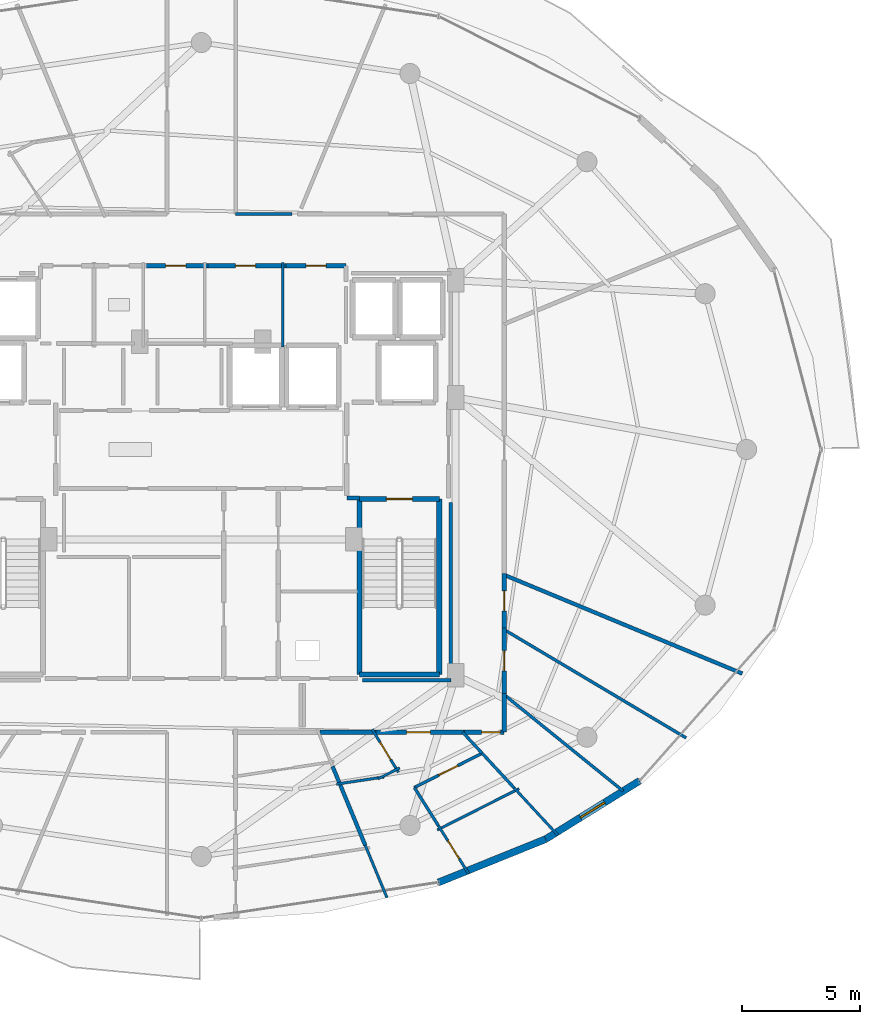
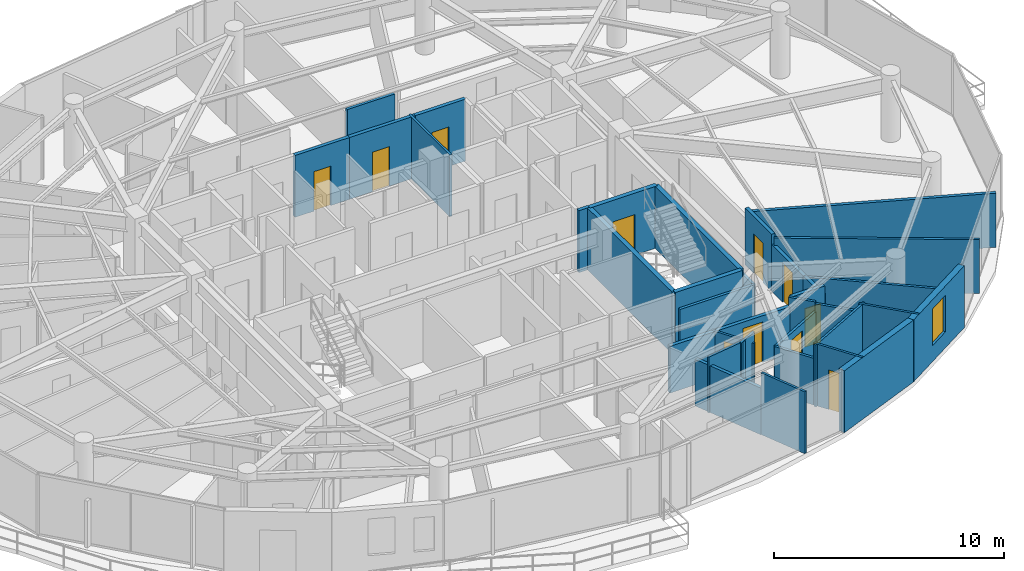
# One storey, part 26 of 31: 35 walls, 11 doors, 1 window, 12 openings.
"""IFC4 building model written with IfcOpenShell, lengths in metres."""

from ifc_helpers import new_model, si_unit, direction, frame, frame_2d, origin, place, context, subcontext, project, spatial, rectangle, extrude, material, layer, layer_set, type_object, element, fill, save


model = new_model("IFC4")

# Units and contexts
model_context = context("Model", 3, precision=1e-05, world=origin(), true_north=direction((0.0, 1.0)))
body_context = subcontext(model_context, "Body", "Model", "MODEL_VIEW")
ifc_project = project(units=[si_unit("LENGTHUNIT", "METRE"), si_unit("AREAUNIT", "SQUARE_METRE"), si_unit("VOLUMEUNIT", "CUBIC_METRE"), si_unit("PLANEANGLEUNIT", "RADIAN"), si_unit("MASSUNIT", "GRAM", prefix="KILO")], contexts=[model_context])

# Site, building, storey
site_placement = place(None, origin())
site = spatial("IfcSite", under=ifc_project, at=site_placement, CompositionType="ELEMENT")
building_placement = place(site_placement, origin())
building = spatial("IfcBuilding", under=site, at=building_placement, Name="Vorneva Point Tower", CompositionType="ELEMENT")
storey_placement = place(building_placement, frame((0.0, 0.0, 248.449951171875)))
storey = spatial("IfcBuildingStorey", under=building, at=storey_placement, Name="L67", CompositionType="ELEMENT", Elevation=248.449951171875)

# Wall
ifc_material_1 = material(Name="Precast concrete B50 (C40/50)", Category="concrete")
ifc_layer_1 = layer(ifc_material_1, 0.300048828125)
ifc_layer_set_1 = layer_set([ifc_layer_1], Name="Precast concrete B50 (C40/50)")
wall_type_1 = type_object("IfcWallType", Name="WL-EXT-300", PredefinedType="STANDARD", material=ifc_layer_set_1)
wall_1_placement = place(storey_placement, frame((48.0263671875, 7.697998046875, 0.0), z_axis=(0.0, 0.0, 1.0), x_axis=(0.927147375511, 0.374696869594, 0.0)))
element("IfcWall", 1, at=wall_1_placement, inside=storey, type_object=wall_type_1, Name="L67 Pale-Metal Facade Spandrel Wall 14.1", PredefinedType="STANDARD", context=body_context, shape_type="SweptSolid", body=[
    extrude(rectangle(XDim=4.885498046875, YDim=0.300048828125, at=frame_2d((2.44287109375, 0.0))), origin(), (0.0, 0.0, 1.0), 3.2900390625),
])

# Wall, opening, window
wall_2_placement = place(storey_placement, frame((52.555908203125, 9.528564453125, 0.0), z_axis=(0.0, 0.0, 1.0), x_axis=(0.849702323036, 0.527262707032, 0.0)))
wall_2 = element("IfcWall", 2, at=wall_2_placement, inside=storey, type_object=wall_type_1, Name="L67 Pale-Metal Facade Spandrel Wall 14.2", PredefinedType="STANDARD", context=body_context, shape_type="SweptSolid", body=[
    extrude(rectangle(XDim=4.67236328125, YDim=0.300048828125, at=frame_2d((2.336181640625, 0.0))), origin(), (0.0, 0.0, 1.0), 3.2900390625),
])
opening_1_placement = place(wall_2_placement, frame((1.736328125, 0.0, 0.85009765625)))
opening_1 = element("IfcOpeningElement", 3, at=opening_1_placement, cuts=wall_2, Name="Opening W-04", PredefinedType="OPENING", context=body_context, shape_type="SweptSolid", body=[
    extrude(rectangle(XDim=1.199951171875, YDim=1.949951171875, at=frame_2d((0.60009765625, 0.97509765625))), frame((0.0, 0.1650390625, 0.0), z_axis=(0.0, -1.0, 0.0), x_axis=(1.0, 0.0, 0.0)), (0.0, 0.0, 1.0), 0.329833984375),
])
ifc_material_2 = material(Name="Double low-e laminated glass IGU", Category="glass")
window_type = type_object("IfcWindowType", Name="WN-RES-1200", PartitioningType="SINGLE_PANEL", PredefinedType="WINDOW", material=ifc_material_2)
window_placement = place(opening_1_placement, origin())
window = element("IfcWindow", 4, at=window_placement, inside=storey, type_object=window_type, Name="L67 Dwelling Vision Window 04", OverallHeight=1.949951171875, OverallWidth=1.199951171875, PartitioningType="SINGLE_PANEL", PredefinedType="WINDOW", context=body_context, shape_type="SweptSolid", body=[
    extrude(rectangle(XDim=1.199951171875, YDim=1.949951171875, at=frame_2d((0.60009765625, 0.97509765625))), frame((0.0, 0.030029296875, 0.0), z_axis=(0.0, -1.0, 0.0), x_axis=(1.0, 0.0, 0.0)), (0.0, 0.0, 1.0), 0.06005859375),
])
fill(opening_1, window)

# Walls
ifc_material_3 = material(Name="Fire-rated acoustic gypsum stud partition", Category="gypsum")
ifc_layer_2 = layer(ifc_material_3, 0.110107421875)
ifc_layer_set_2 = layer_set([ifc_layer_2], Name="Fire-rated acoustic gypsum stud partition")
wall_type_2 = type_object("IfcWallType", Name="WL-PART-110", PredefinedType="PARTITIONING", material=ifc_layer_set_2)
wall_3_placement = place(storey_placement, frame((41.449951171875, 30.340087890625, 0.0), z_axis=(0.0, 0.0, 1.0), x_axis=(0.0, 1.0, 0.0)))
element("IfcWall", 5, at=wall_3_placement, inside=storey, type_object=wall_type_2, Name="L67 Interior Partition 028", PredefinedType="PARTITIONING", context=body_context, shape_type="SweptSolid", body=[
    extrude(rectangle(XDim=3.559814453125, YDim=0.110107421875, at=frame_2d((1.77978515625, 0.0))), origin(), (0.0, 0.0, 1.0), 3.2900390625),
])
wall_4_placement = place(storey_placement, frame((44.929443359375, 9.271240234375, 0.0), z_axis=(0.0, 0.0, 1.0), x_axis=(0.382798716902, -0.923831771665, 0.0)))
element("IfcWall", 6, at=wall_4_placement, inside=storey, type_object=wall_type_2, Name="L67 Interior Partition 111", PredefinedType="PARTITIONING", context=body_context, shape_type="SweptSolid", body=[
    extrude(rectangle(XDim=2.396240234375, YDim=0.110107421875, at=frame_2d((1.1982421875, 0.0))), origin(), (0.0, 0.0, 1.0), 3.2900390625),
])

# Wall, opening, door
wall_5_placement = place(storey_placement, frame((45.22412109375, 14.16943359375, 0.0), z_axis=(0.0, 0.0, 1.0), x_axis=(0.52123627541, -0.853412412141, 0.0)))
wall_5 = element("IfcWall", 7, at=wall_5_placement, inside=storey, type_object=wall_type_2, Name="L67 Interior Partition 114", PredefinedType="PARTITIONING", context=body_context, shape_type="SweptSolid", body=[
    extrude(rectangle(XDim=2.12548828125, YDim=0.110107421875, at=frame_2d((1.062744140625, 0.0))), origin(), (0.0, 0.0, 1.0), 2.48193359375),
])
opening_2_placement = place(wall_5_placement, frame((0.6376953125, 0.0, 0.0)))
opening_2 = element("IfcOpeningElement", 8, at=opening_2_placement, cuts=wall_5, Name="Opening ID-02", PredefinedType="OPENING", context=body_context, shape_type="SweptSolid", body=[
    extrude(rectangle(XDim=0.85009765625, YDim=2.10009765625, at=frame_2d((0.425048828125, 1.050048828125))), frame((0.0, 0.06982421875, 0.0), z_axis=(0.0, -1.0, 0.0), x_axis=(1.0, 0.0, 0.0)), (0.0, 0.0, 1.0), 0.139892578125),
])
ifc_material_4 = material(Name="Engineered oak fire-rated door leaf", Category="wood")
door_type_1 = type_object("IfcDoorType", Name="DR-BATH-850", OperationType="NOTDEFINED", PredefinedType="DOOR", material=ifc_material_4)
door_1_placement = place(opening_2_placement, origin())
door_1 = element("IfcDoor", 9, at=door_1_placement, inside=storey, type_object=door_type_1, Name="L67 Door Living and Dining Room L67-05 / Bathroom L67-05", OperationType="SINGLE_SWING_LEFT", OverallHeight=2.10009765625, OverallWidth=0.85009765625, PredefinedType="DOOR", context=body_context, shape_type="SweptSolid", body=[
    extrude(rectangle(XDim=0.85009765625, YDim=2.10009765625, at=frame_2d((0.425048828125, 1.050048828125))), frame((0.0, 0.02490234375, 0.0), z_axis=(0.0, -1.0, 0.0), x_axis=(1.0, 0.0, 0.0)), (0.0, 0.0, 1.0), 0.050048828125),
])
fill(opening_2, door_1)

# Walls
wall_6_placement = place(storey_placement, frame((46.384033203125, 12.5380859375, 0.0), z_axis=(0.0, 0.0, 1.0), x_axis=(-0.892613755874, -0.450822229737, 0.0)))
element("IfcWall", 10, at=wall_6_placement, inside=storey, type_object=wall_type_2, Name="L67 Interior Partition 115", PredefinedType="PARTITIONING", context=body_context, shape_type="SweptSolid", body=[
    extrude(rectangle(XDim=1.02734375, YDim=0.110107421875, at=frame_2d((0.513671875, 0.0))), origin(), (0.0, 0.0, 1.0), 2.97216796875),
])
wall_7_placement = place(storey_placement, frame((45.73046875, 12.15869140625, 0.0), z_axis=(0.0, 0.0, 1.0), x_axis=(-0.98887923552, -0.148720736812, 0.0)))
element("IfcWall", 11, at=wall_7_placement, inside=storey, type_object=wall_type_2, Name="L67 Interior Partition 116", PredefinedType="PARTITIONING", context=body_context, shape_type="SweptSolid", body=[
    extrude(rectangle(XDim=2.04052734375, YDim=0.110107421875, at=frame_2d((1.020263671875, 0.0))), origin(), (0.0, 0.0, 1.0), 2.97216796875),
])

# Wall, opening, door
wall_8_placement = place(storey_placement, frame((49.302734375, 8.066650390625, 0.0), z_axis=(0.0, 0.0, 1.0), x_axis=(-0.53356042882, 0.845761945702, 0.0)))
wall_8 = element("IfcWall", 12, at=wall_8_placement, inside=storey, type_object=wall_type_2, Name="L67 Interior Partition 117", PredefinedType="PARTITIONING", context=body_context, shape_type="SweptSolid", body=[
    extrude(rectangle(XDim=2.39990234375, YDim=0.110107421875, at=frame_2d((1.199951171875, 0.0))), origin(), (0.0, 0.0, 1.0), 3.2900390625),
])
opening_3_placement = place(wall_8_placement, frame((0.75, 0.0, 0.0)))
opening_3 = element("IfcOpeningElement", 13, at=opening_3_placement, cuts=wall_8, Name="Opening ID-01", PredefinedType="OPENING", context=body_context, shape_type="SweptSolid", body=[
    extrude(rectangle(XDim=0.89990234375, YDim=2.10009765625, at=frame_2d((0.449951171875, 1.050048828125))), frame((0.0, 0.06982421875, 0.0), z_axis=(0.0, -1.0, 0.0), x_axis=(1.0, 0.0, 0.0)), (0.0, 0.0, 1.0), 0.139892578125),
])
door_type_2 = type_object("IfcDoorType", Name="DR-ROOM-900", OperationType="NOTDEFINED", PredefinedType="DOOR", material=ifc_material_4)
door_2_placement = place(opening_3_placement, origin())
door_2 = element("IfcDoor", 14, at=door_2_placement, inside=storey, type_object=door_type_2, Name="L67 Door Living and Dining Room L67-05 / Kitchen L67-05", OperationType="SINGLE_SWING_RIGHT", OverallHeight=2.10009765625, OverallWidth=0.89990234375, PredefinedType="DOOR", context=body_context, shape_type="SweptSolid", body=[
    extrude(rectangle(XDim=0.89990234375, YDim=2.10009765625, at=frame_2d((0.449951171875, 1.050048828125))), frame((0.0, 0.02490234375, 0.0), z_axis=(0.0, -1.0, 0.0), x_axis=(1.0, 0.0, 0.0)), (0.0, 0.0, 1.0), 0.050048828125),
])
fill(opening_3, door_2)

# Walls
wall_9_placement = place(storey_placement, frame((51.43408203125, 11.6640625, 0.0), z_axis=(0.0, 0.0, 1.0), x_axis=(-0.892543730476, -0.450960851059, 0.0)))
element("IfcWall", 15, at=wall_9_placement, inside=storey, type_object=wall_type_2, Name="L67 Interior Partition 121", PredefinedType="PARTITIONING", context=body_context, shape_type="SweptSolid", body=[
    extrude(rectangle(XDim=3.87890625, YDim=0.110107421875, at=frame_2d((1.939453125, 0.0))), origin(), (0.0, 0.0, 1.0), 3.2900390625),
])
wall_10_placement = place(storey_placement, frame((53.076171875, 9.690185546875, 0.0), z_axis=(0.0, 0.0, 1.0), x_axis=(-0.678974823397, 0.734161555241, 0.0)))
element("IfcWall", 16, at=wall_10_placement, inside=storey, type_object=wall_type_2, Name="L67 Interior Partition 122", PredefinedType="PARTITIONING", context=body_context, shape_type="SweptSolid", body=[
    extrude(rectangle(XDim=2.742919921875, YDim=0.110107421875, at=frame_2d((1.37158203125, 0.0))), origin(), (0.0, 0.0, 1.0), 3.2900390625),
])

# Wall, opening, door
ifc_layer_3 = layer(ifc_material_3, 0.125)
ifc_layer_set_3 = layer_set([ifc_layer_3], Name="Fire-rated acoustic gypsum stud partition")
wall_type_3 = type_object("IfcWallType", Name="WL-PART-125", PredefinedType="PARTITIONING", material=ifc_layer_set_3)
wall_11_placement = place(storey_placement, frame((47.006103515625, 11.7099609375, 0.0), z_axis=(0.0, 0.0, 1.0), x_axis=(0.892487089344, 0.451072937955, 0.0)))
wall_11 = element("IfcWall", 17, at=wall_11_placement, inside=storey, type_object=wall_type_3, Name="L67 Interior Partition 118", PredefinedType="PARTITIONING", context=body_context, shape_type="SweptSolid", body=[
    extrude(rectangle(XDim=3.210205078125, YDim=0.125, at=frame_2d((1.60498046875, 0.0))), origin(), (0.0, 0.0, 1.0), 2.48193359375),
])
opening_4_placement = place(wall_11_placement, frame((1.155029296875, 0.0, 0.0)))
opening_4 = element("IfcOpeningElement", 18, at=opening_4_placement, cuts=wall_11, Name="Opening ID-01", PredefinedType="OPENING", context=body_context, shape_type="SweptSolid", body=[
    extrude(rectangle(XDim=0.89990234375, YDim=2.10009765625, at=frame_2d((0.449951171875, 1.050048828125))), frame((0.0, 0.077392578125, 0.0), z_axis=(0.0, -1.0, 0.0), x_axis=(1.0, 0.0, 0.0)), (0.0, 0.0, 1.0), 0.15478515625),
])
door_3_placement = place(opening_4_placement, origin())
door_3 = element("IfcDoor", 19, at=door_3_placement, inside=storey, type_object=door_type_2, Name="L67 Door Living and Dining Room L67-05 / Study Room L67-05", OperationType="SINGLE_SWING_LEFT", OverallHeight=2.10009765625, OverallWidth=0.89990234375, PredefinedType="DOOR", context=body_context, shape_type="SweptSolid", body=[
    extrude(rectangle(XDim=0.89990234375, YDim=2.10009765625, at=frame_2d((0.449951171875, 1.050048828125))), frame((0.0, 0.02490234375, 0.0), z_axis=(0.0, -1.0, 0.0), x_axis=(1.0, 0.0, 0.0)), (0.0, 0.0, 1.0), 0.050048828125),
])
fill(opening_4, door_3)

# Walls
wall_12_placement = place(storey_placement, frame((48.0224609375, 10.096435546875, 0.0), z_axis=(0.0, 0.0, 1.0), x_axis=(-0.532976248943, 0.846130201602, 0.0)))
element("IfcWall", 20, at=wall_12_placement, inside=storey, type_object=wall_type_3, Name="L67 Interior Partition 119", PredefinedType="PARTITIONING", context=body_context, shape_type="SweptSolid", body=[
    extrude(rectangle(XDim=1.906982421875, YDim=0.125, at=frame_2d((0.95361328125, 0.0))), origin(), (0.0, 0.0, 1.0), 2.48193359375),
])
wall_13_placement = place(storey_placement, frame((49.87109375, 13.157958984375, 0.0), z_axis=(0.0, 0.0, 1.0), x_axis=(-0.679047394912, 0.734094432251, 0.0)))
element("IfcWall", 21, at=wall_13_placement, inside=storey, type_object=wall_type_3, Name="L67 Interior Partition 120", PredefinedType="PARTITIONING", context=body_context, shape_type="SweptSolid", body=[
    extrude(rectangle(XDim=1.21533203125, YDim=0.125, at=frame_2d((0.607666015625, 0.0))), origin(), (0.0, 0.0, 1.0), 2.97216796875),
])
wall_14_placement = place(storey_placement, frame((51.214599609375, 11.704345703125, 0.0), z_axis=(0.0, 0.0, 1.0), x_axis=(-0.678746140468, 0.734372982073, 0.0)))
element("IfcWall", 22, at=wall_14_placement, inside=storey, type_object=wall_type_3, Name="L67 Interior Partition 123", PredefinedType="PARTITIONING", context=body_context, shape_type="SweptSolid", body=[
    extrude(rectangle(XDim=1.9794921875, YDim=0.125, at=frame_2d((0.98974609375, 0.0))), origin(), (0.0, 0.0, 1.0), 2.8740234375),
])
wall_15_placement = place(storey_placement, frame((55.827880859375, 11.56298828125, 0.0), z_axis=(0.0, 0.0, 1.0), x_axis=(-0.777103372697, 0.62937298015, 0.0)))
element("IfcWall", 23, at=wall_15_placement, inside=storey, type_object=wall_type_3, Name="L67 Interior Partition 124", PredefinedType="PARTITIONING", context=body_context, shape_type="SweptSolid", body=[
    extrude(rectangle(XDim=6.469970703125, YDim=0.125, at=frame_2d((3.23486328125, 0.0))), origin(), (0.0, 0.0, 1.0), 2.48193359375),
])
wall_16_placement = place(storey_placement, frame((58.492919921875, 13.80810546875, 0.0), z_axis=(0.0, 0.0, 1.0), x_axis=(-0.859400180079, 0.511303560011, 0.0)))
element("IfcWall", 24, at=wall_16_placement, inside=storey, type_object=wall_type_3, Name="L67 Interior Partition 125", PredefinedType="PARTITIONING", context=body_context, shape_type="SweptSolid", body=[
    extrude(rectangle(XDim=8.951416015625, YDim=0.125, at=frame_2d((4.4755859375, 0.0))), origin(), (0.0, 0.0, 1.0), 2.8740234375),
])
ifc_layer_4 = layer(ifc_material_3, 0.139892578125)
ifc_layer_set_4 = layer_set([ifc_layer_4], Name="Fire-rated acoustic gypsum stud partition")
wall_type_4 = type_object("IfcWallType", Name="WL-PART-140", PredefinedType="PARTITIONING", material=ifc_layer_set_4)
wall_17_placement = place(storey_placement, frame((41.841064453125, 35.949951171875, 0.0), z_axis=(0.0, 0.0, 1.0), x_axis=(-1.0, 0.0, 0.0)))
element("IfcWall", 25, at=wall_17_placement, inside=storey, type_object=wall_type_4, Name="L67 Interior Closure Partition 139", PredefinedType="PARTITIONING", context=body_context, shape_type="SweptSolid", body=[
    extrude(rectangle(XDim=2.39111328125, YDim=0.139892578125, at=frame_2d((1.195556640625, 0.0))), origin(), (0.0, 0.0, 1.0), 3.02197265625),
])
wall_18_placement = place(storey_placement, frame((44.804931640625, 16.239990234375, 0.0), z_axis=(0.0, 0.0, 1.0), x_axis=(1.0, 0.0, 0.0)))
element("IfcWall", 26, at=wall_18_placement, inside=storey, type_object=wall_type_4, Name="L67 Interior Closure Partition 141", PredefinedType="PARTITIONING", context=body_context, shape_type="SweptSolid", body=[
    extrude(rectangle(XDim=3.7451171875, YDim=0.139892578125, at=frame_2d((1.87255859375, 0.0))), origin(), (0.0, 0.0, 1.0), 2.48193359375),
])
wall_19_placement = place(storey_placement, frame((48.550048828125, 16.239990234375, 0.0), z_axis=(0.0, 0.0, 1.0), x_axis=(0.0, 1.0, 0.0)))
element("IfcWall", 27, at=wall_19_placement, inside=storey, type_object=wall_type_4, Name="L67 Interior Closure Partition 142", PredefinedType="PARTITIONING", context=body_context, shape_type="SweptSolid", body=[
    extrude(rectangle(XDim=7.513916015625, YDim=0.139892578125, at=frame_2d((3.7568359375, 0.0))), origin(), (0.0, 0.0, 1.0), 2.48193359375),
])
ifc_layer_5 = layer(ifc_material_3, 0.159912109375)
ifc_layer_set_5 = layer_set([ifc_layer_5], Name="Fire-rated acoustic gypsum stud partition")
wall_type_5 = type_object("IfcWallType", Name="WL-PART-160", PredefinedType="PARTITIONING", material=ifc_layer_set_5)
wall_20_placement = place(storey_placement, frame((44.9296875, 9.271484375, 0.0), z_axis=(0.0, 0.0, 1.0), x_axis=(-0.382744455498, 0.923854253541, 0.0)))
element("IfcWall", 28, at=wall_20_placement, inside=storey, type_object=wall_type_5, Name="L67 Interior Partition 113", PredefinedType="PARTITIONING", context=body_context, shape_type="SweptSolid", body=[
    extrude(rectangle(XDim=3.60595703125, YDim=0.159912109375, at=frame_2d((1.802978515625, 0.0))), origin(), (0.0, 0.0, 1.0), 2.48193359375),
])
wall_21_placement = place(storey_placement, frame((60.866943359375, 16.528076171875, 0.0), z_axis=(0.0, 0.0, 1.0), x_axis=(-0.923877013663, 0.382689513347, 0.0)))
element("IfcWall", 29, at=wall_21_placement, inside=storey, type_object=wall_type_5, Name="L67 Interior Partition 126", PredefinedType="PARTITIONING", context=body_context, shape_type="SweptSolid", body=[
    extrude(rectangle(XDim=10.896240234375, YDim=0.159912109375, at=frame_2d((5.4482421875, 0.0))), origin(), (0.0, 0.0, 1.0), 2.8740234375),
])
ifc_material_5 = material(Name="Autoclaved aerated concrete blockwork", Category="masonry")
ifc_layer_6 = layer(ifc_material_5, 0.179931640625)
ifc_layer_set_6 = layer_set([ifc_layer_6], Name="Autoclaved aerated concrete blockwork")
wall_type_6 = type_object("IfcWallType", Name="WL-PART-180", PredefinedType="PARTITIONING", material=ifc_layer_set_6)
wall_22_placement = place(storey_placement, frame((44.14990234375, 23.949951171875, 0.0), z_axis=(0.0, 0.0, 1.0), x_axis=(1.0, 0.0, 0.0)))
element("IfcWall", 30, at=wall_22_placement, inside=storey, type_object=wall_type_6, Name="L67 Interior Partition 004", PredefinedType="PARTITIONING", context=body_context, shape_type="SweptSolid", body=[
    extrude(rectangle(XDim=0.5400390625, YDim=0.179931640625, at=frame_2d((0.27001953125, 0.0))), origin(), (0.0, 0.0, 1.0), 3.2900390625),
])

# Wall, opening, door
wall_23_placement = place(storey_placement, frame((38.2900390625, 33.760009765625, 0.0), z_axis=(0.0, 0.0, 1.0), x_axis=(-1.0, 0.0, 0.0)))
wall_23 = element("IfcWall", 31, at=wall_23_placement, inside=storey, type_object=wall_type_6, Name="L67 Interior Partition 027", PredefinedType="PARTITIONING", context=body_context, shape_type="SweptSolid", body=[
    extrude(rectangle(XDim=2.739990234375, YDim=0.179931640625, at=frame_2d((1.3701171875, 0.0))), origin(), (0.0, 0.0, 1.0), 3.2900390625),
])
opening_5_placement = place(wall_23_placement, frame((0.945068359375, 0.0, 0.0)))
opening_5 = element("IfcOpeningElement", 32, at=opening_5_placement, cuts=wall_23, Name="Opening ID-02", PredefinedType="OPENING", context=body_context, shape_type="SweptSolid", body=[
    extrude(rectangle(XDim=0.85009765625, YDim=2.10009765625, at=frame_2d((0.425048828125, 1.050048828125))), frame((0.0, 0.10498046875, 0.0), z_axis=(0.0, -1.0, 0.0), x_axis=(1.0, 0.0, 0.0)), (0.0, 0.0, 1.0), 0.209716796875),
])
door_4_placement = place(opening_5_placement, origin())
door_4 = element("IfcDoor", 33, at=door_4_placement, inside=storey, type_object=door_type_1, Name="L67 Door Public Male WC / L67 Circulation Corridor", OperationType="SINGLE_SWING_RIGHT", OverallHeight=2.10009765625, OverallWidth=0.85009765625, PredefinedType="DOOR", context=body_context, shape_type="SweptSolid", body=[
    extrude(rectangle(XDim=0.85009765625, YDim=2.10009765625, at=frame_2d((0.425048828125, 1.050048828125))), frame((0.0, 0.02490234375, 0.0), z_axis=(0.0, -1.0, 0.0), x_axis=(1.0, 0.0, 0.0)), (0.0, 0.0, 1.0), 0.050048828125),
])
fill(opening_5, door_4)

wall_24_placement = place(storey_placement, frame((41.590087890625, 33.760009765625, 0.0), z_axis=(0.0, 0.0, 1.0), x_axis=(-1.0, 0.0, 0.0)))
wall_24 = element("IfcWall", 34, at=wall_24_placement, inside=storey, type_object=wall_type_6, Name="L67 Interior Partition 030", PredefinedType="PARTITIONING", context=body_context, shape_type="SweptSolid", body=[
    extrude(rectangle(XDim=3.440185546875, YDim=0.179931640625, at=frame_2d((1.72021484375, 0.0))), origin(), (0.0, 0.0, 1.0), 3.2900390625),
])
opening_6_placement = place(wall_24_placement, frame((1.294921875, 0.0, 0.0)))
opening_6 = element("IfcOpeningElement", 35, at=opening_6_placement, cuts=wall_24, Name="Opening ID-02", PredefinedType="OPENING", context=body_context, shape_type="SweptSolid", body=[
    extrude(rectangle(XDim=0.85009765625, YDim=2.10009765625, at=frame_2d((0.425048828125, 1.050048828125))), frame((0.0, 0.10498046875, 0.0), z_axis=(0.0, -1.0, 0.0), x_axis=(1.0, 0.0, 0.0)), (0.0, 0.0, 1.0), 0.209716796875),
])
door_5_placement = place(opening_6_placement, origin())
door_5 = element("IfcDoor", 36, at=door_5_placement, inside=storey, type_object=door_type_1, Name="L67 Door Public Female WC / L67 Circulation Corridor", OperationType="SINGLE_SWING_LEFT", OverallHeight=2.10009765625, OverallWidth=0.85009765625, PredefinedType="DOOR", context=body_context, shape_type="SweptSolid", body=[
    extrude(rectangle(XDim=0.85009765625, YDim=2.10009765625, at=frame_2d((0.425048828125, 1.050048828125))), frame((0.0, 0.02490234375, 0.0), z_axis=(0.0, -1.0, 0.0), x_axis=(1.0, 0.0, 0.0)), (0.0, 0.0, 1.0), 0.050048828125),
])
fill(opening_6, door_5)

wall_25_placement = place(storey_placement, frame((44.1201171875, 33.760009765625, 0.0), z_axis=(0.0, 0.0, 1.0), x_axis=(-1.0, 0.0, 0.0)))
wall_25 = element("IfcWall", 37, at=wall_25_placement, inside=storey, type_object=wall_type_6, Name="L67 Interior Partition 031", PredefinedType="PARTITIONING", context=body_context, shape_type="SweptSolid", body=[
    extrude(rectangle(XDim=2.530029296875, YDim=0.179931640625, at=frame_2d((1.26513671875, 0.0))), origin(), (0.0, 0.0, 1.0), 3.2900390625),
])
opening_7_placement = place(wall_25_placement, frame((0.840087890625, 0.0, 0.0)))
opening_7 = element("IfcOpeningElement", 38, at=opening_7_placement, cuts=wall_25, Name="Opening ID-02", PredefinedType="OPENING", context=body_context, shape_type="SweptSolid", body=[
    extrude(rectangle(XDim=0.85009765625, YDim=2.10009765625, at=frame_2d((0.425048828125, 1.050048828125))), frame((0.0, 0.10498046875, 0.0), z_axis=(0.0, -1.0, 0.0), x_axis=(1.0, 0.0, 0.0)), (0.0, 0.0, 1.0), 0.209716796875),
])
door_6_placement = place(opening_7_placement, origin())
door_6 = element("IfcDoor", 39, at=door_6_placement, inside=storey, type_object=door_type_1, Name="L67 Door Cleaners Store / L67 Circulation Corridor", OperationType="SINGLE_SWING_RIGHT", OverallHeight=2.10009765625, OverallWidth=0.85009765625, PredefinedType="DOOR", context=body_context, shape_type="SweptSolid", body=[
    extrude(rectangle(XDim=0.85009765625, YDim=2.10009765625, at=frame_2d((0.425048828125, 1.050048828125))), frame((0.0, 0.02490234375, 0.0), z_axis=(0.0, -1.0, 0.0), x_axis=(1.0, 0.0, 0.0)), (0.0, 0.0, 1.0), 0.050048828125),
])
fill(opening_7, door_6)

wall_26_placement = place(storey_placement, frame((45.237060546875, 14.050048828125, 0.0), z_axis=(0.0, 0.0, 1.0), x_axis=(1.0, 0.0, 0.0)))
wall_26 = element("IfcWall", 40, at=wall_26_placement, inside=storey, type_object=wall_type_6, Name="L67 Interior Partition 059", PredefinedType="PARTITIONING", context=body_context, shape_type="SweptSolid", body=[
    extrude(rectangle(XDim=3.890869140625, YDim=0.179931640625, at=frame_2d((1.9453125, 0.0))), origin(), (0.0, 0.0, 1.0), 2.48193359375),
])
opening_8_placement = place(wall_26_placement, frame((1.445556640625, 0.0, 0.0)))
opening_8 = element("IfcOpeningElement", 41, at=opening_8_placement, cuts=wall_26, Name="Opening UD-01", PredefinedType="OPENING", context=body_context, shape_type="SweptSolid", body=[
    extrude(rectangle(XDim=1.0, YDim=2.14990234375, at=frame_2d((0.5, 1.074951171875))), frame((0.0, 0.10498046875, 0.0), z_axis=(0.0, -1.0, 0.0), x_axis=(1.0, 0.0, 0.0)), (0.0, 0.0, 1.0), 0.209716796875),
])
door_type_3 = type_object("IfcDoorType", Name="DR-UNIT-1000", OperationType="NOTDEFINED", PredefinedType="DOOR", material=ifc_material_4)
door_7_placement = place(opening_8_placement, origin())
door_7 = element("IfcDoor", 42, at=door_7_placement, inside=storey, type_object=door_type_3, Name="L67 Door L67 Circulation Corridor / Living and Dining Room L67-05", OperationType="SINGLE_SWING_RIGHT", OverallHeight=2.14990234375, OverallWidth=1.0, PredefinedType="DOOR", context=body_context, shape_type="SweptSolid", body=[
    extrude(rectangle(XDim=1.0, YDim=2.14990234375, at=frame_2d((0.5, 1.074951171875))), frame((0.0, 0.02490234375, 0.0), z_axis=(0.0, -1.0, 0.0), x_axis=(1.0, 0.0, 0.0)), (0.0, 0.0, 1.0), 0.050048828125),
])
fill(opening_8, door_7)

# Wall
wall_27_placement = place(storey_placement, frame((43.014892578125, 14.050048828125, 0.0), z_axis=(0.0, 0.0, 1.0), x_axis=(1.0, 0.0, 0.0)))
element("IfcWall", 43, at=wall_27_placement, inside=storey, type_object=wall_type_6, Name="L67 Interior Partition 060", PredefinedType="PARTITIONING", context=body_context, shape_type="SweptSolid", body=[
    extrude(rectangle(XDim=2.362060546875, YDim=0.179931640625, at=frame_2d((1.18115234375, 0.0))), origin(), (0.0, 0.0, 1.0), 2.48193359375),
])

# Wall, opening, door
wall_28_placement = place(storey_placement, frame((49.1279296875, 14.050048828125, 0.0), z_axis=(0.0, 0.0, 1.0), x_axis=(1.0, 0.0, 0.0)))
wall_28 = element("IfcWall", 44, at=wall_28_placement, inside=storey, type_object=wall_type_6, Name="L67 Interior Partition 061", PredefinedType="PARTITIONING", context=body_context, shape_type="SweptSolid", body=[
    extrude(rectangle(XDim=1.672119140625, YDim=0.179931640625, at=frame_2d((0.8359375, 0.0))), origin(), (0.0, 0.0, 1.0), 2.97216796875),
])
opening_9_placement = place(wall_28_placement, frame((0.716064453125, 0.0, 0.0)))
opening_9 = element("IfcOpeningElement", 45, at=opening_9_placement, cuts=wall_28, Name="Opening RD-01", PredefinedType="OPENING", context=body_context, shape_type="SweptSolid", body=[
    extrude(rectangle(XDim=0.800048828125, YDim=2.050048828125, at=frame_2d((0.39990234375, 1.02490234375))), frame((0.0, 0.10498046875, 0.0), z_axis=(0.0, -1.0, 0.0), x_axis=(1.0, 0.0, 0.0)), (0.0, 0.0, 1.0), 0.209716796875),
])
ifc_material_6 = material(Name="Fire-rated powder-coated steel", Category="steel")
door_type_4 = type_object("IfcDoorType", Name="DR-RSR-800", OperationType="SINGLE_SWING_LEFT", PredefinedType="DOOR", material=ifc_material_6)
door_8_placement = place(opening_9_placement, origin())
door_8 = element("IfcDoor", 46, at=door_8_placement, inside=storey, type_object=door_type_4, Name="L67 Access Door L67 Circulation Corridor", OperationType="SINGLE_SWING_RIGHT", OverallHeight=2.050048828125, OverallWidth=0.800048828125, PredefinedType="DOOR", context=body_context, shape_type="SweptSolid", body=[
    extrude(rectangle(XDim=0.800048828125, YDim=2.050048828125, at=frame_2d((0.39990234375, 1.02490234375))), frame((0.0, 0.02490234375, 0.0), z_axis=(0.0, -1.0, 0.0), x_axis=(1.0, 0.0, 0.0)), (0.0, 0.0, 1.0), 0.050048828125),
])
fill(opening_9, door_8)

# Wall
wall_29_placement = place(storey_placement, frame((50.800048828125, 14.050048828125, 0.0), z_axis=(0.0, 0.0, 1.0), x_axis=(0.0, 1.0, 0.0)))
element("IfcWall", 47, at=wall_29_placement, inside=storey, type_object=wall_type_6, Name="L67 Interior Partition 062", PredefinedType="PARTITIONING", context=body_context, shape_type="SweptSolid", body=[
    extrude(rectangle(XDim=1.64501953125, YDim=0.179931640625, at=frame_2d((0.822509765625, 0.0))), origin(), (0.0, 0.0, 1.0), 2.48193359375),
])

# Wall, opening, door
wall_30_placement = place(storey_placement, frame((50.800048828125, 15.695068359375, 0.0), z_axis=(0.0, 0.0, 1.0), x_axis=(0.0, 1.0, 0.0)))
wall_30 = element("IfcWall", 48, at=wall_30_placement, inside=storey, type_object=wall_type_6, Name="L67 Interior Partition 063", PredefinedType="PARTITIONING", context=body_context, shape_type="SweptSolid", body=[
    extrude(rectangle(XDim=2.75, YDim=0.179931640625, at=frame_2d((1.375, 0.0))), origin(), (0.0, 0.0, 1.0), 2.48193359375),
])
opening_10_placement = place(wall_30_placement, frame((0.949951171875, 0.0, 0.0)))
opening_10 = element("IfcOpeningElement", 49, at=opening_10_placement, cuts=wall_30, Name="Opening ID-02", PredefinedType="OPENING", context=body_context, shape_type="SweptSolid", body=[
    extrude(rectangle(XDim=0.85009765625, YDim=2.10009765625, at=frame_2d((0.425048828125, 1.050048828125))), frame((0.0, 0.10498046875, 0.0), z_axis=(0.0, -1.0, 0.0), x_axis=(1.0, 0.0, 0.0)), (0.0, 0.0, 1.0), 0.209716796875),
])
door_9_placement = place(opening_10_placement, origin())
door_9 = element("IfcDoor", 50, at=door_9_placement, inside=storey, type_object=door_type_1, Name="L67 Access Door L67 Circulation Corridor", OperationType="SINGLE_SWING_LEFT", OverallHeight=2.10009765625, OverallWidth=0.85009765625, PredefinedType="DOOR", context=body_context, shape_type="SweptSolid", body=[
    extrude(rectangle(XDim=0.85009765625, YDim=2.10009765625, at=frame_2d((0.425048828125, 1.050048828125))), frame((0.0, 0.02490234375, 0.0), z_axis=(0.0, -1.0, 0.0), x_axis=(1.0, 0.0, 0.0)), (0.0, 0.0, 1.0), 0.050048828125),
])
fill(opening_10, door_9)

wall_31_placement = place(storey_placement, frame((50.800048828125, 18.445068359375, 0.0), z_axis=(0.0, 0.0, 1.0), x_axis=(0.0, 1.0, 0.0)))
wall_31 = element("IfcWall", 51, at=wall_31_placement, inside=storey, type_object=wall_type_6, Name="L67 Interior Partition 064", PredefinedType="PARTITIONING", context=body_context, shape_type="SweptSolid", body=[
    extrude(rectangle(XDim=2.31298828125, YDim=0.179931640625, at=frame_2d((1.156494140625, 0.0))), origin(), (0.0, 0.0, 1.0), 3.02197265625),
])
opening_11_placement = place(wall_31_placement, frame((0.7314453125, 0.0, 0.0)))
opening_11 = element("IfcOpeningElement", 52, at=opening_11_placement, cuts=wall_31, Name="Opening ID-02", PredefinedType="OPENING", context=body_context, shape_type="SweptSolid", body=[
    extrude(rectangle(XDim=0.85009765625, YDim=2.10009765625, at=frame_2d((0.425048828125, 1.050048828125))), frame((0.0, 0.10498046875, 0.0), z_axis=(0.0, -1.0, 0.0), x_axis=(1.0, 0.0, 0.0)), (0.0, 0.0, 1.0), 0.209716796875),
])
door_10_placement = place(opening_11_placement, origin())
door_10 = element("IfcDoor", 53, at=door_10_placement, inside=storey, type_object=door_type_1, Name="L67 Access Door L67 Circulation Corridor", OperationType="SINGLE_SWING_RIGHT", OverallHeight=2.10009765625, OverallWidth=0.85009765625, PredefinedType="DOOR", context=body_context, shape_type="SweptSolid", body=[
    extrude(rectangle(XDim=0.85009765625, YDim=2.10009765625, at=frame_2d((0.425048828125, 1.050048828125))), frame((0.0, 0.02490234375, 0.0), z_axis=(0.0, -1.0, 0.0), x_axis=(1.0, 0.0, 0.0)), (0.0, 0.0, 1.0), 0.050048828125),
])
fill(opening_11, door_10)

ifc_material_7 = material(Name="Concrete B50 (C40/50)", Category="concrete")
ifc_layer_7 = layer(ifc_material_7, 0.219970703125)
ifc_layer_set_7 = layer_set([ifc_layer_7], Name="Concrete B50 (C40/50)")
wall_type_7 = type_object("IfcWallType", Name="WL-SHFT-220", PredefinedType="SOLIDWALL", material=ifc_layer_set_7)
wall_32_placement = place(storey_placement, frame((44.68994140625, 23.909912109375, 0.0), z_axis=(0.0, 0.0, 1.0), x_axis=(1.0, 0.0, 0.0)))
wall_32 = element("IfcWall", 54, at=wall_32_placement, inside=storey, type_object=wall_type_7, Name="L67 Exit Stair ST2 Shaft Wall near", PredefinedType="SOLIDWALL", context=body_context, shape_type="SweptSolid", body=[
    extrude(rectangle(XDim=3.3701171875, YDim=0.219970703125, at=frame_2d((1.68505859375, 0.0))), origin(), (0.0, 0.0, 1.0), 3.2900390625),
])
opening_12_placement = place(wall_32_placement, frame((1.135009765625, 0.0, 0.0)))
opening_12 = element("IfcOpeningElement", 55, at=opening_12_placement, cuts=wall_32, Name="Opening FD-01", PredefinedType="OPENING", context=body_context, shape_type="SweptSolid", body=[
    extrude(rectangle(XDim=1.10009765625, YDim=2.14990234375, at=frame_2d((0.550048828125, 1.074951171875))), frame((0.0, 0.125, 0.0), z_axis=(0.0, -1.0, 0.0), x_axis=(1.0, 0.0, 0.0)), (0.0, 0.0, 1.0), 0.249755859375),
])
door_type_5 = type_object("IfcDoorType", Name="DR-STAIR-1100", OperationType="NOTDEFINED", PredefinedType="DOOR", material=ifc_material_6)
door_11_placement = place(opening_12_placement, origin())
door_11 = element("IfcDoor", 56, at=door_11_placement, inside=storey, type_object=door_type_5, Name="L67 Exit Stair ST2 Fire Door", OperationType="SINGLE_SWING_RIGHT", OverallHeight=2.14990234375, OverallWidth=1.10009765625, PredefinedType="DOOR", context=body_context, shape_type="SweptSolid", body=[
    extrude(rectangle(XDim=1.10009765625, YDim=2.14990234375, at=frame_2d((0.550048828125, 1.074951171875))), frame((0.0, 0.02490234375, 0.0), z_axis=(0.0, -1.0, 0.0), x_axis=(1.0, 0.0, 0.0)), (0.0, 0.0, 1.0), 0.050048828125),
])
fill(opening_12, door_11)

# Walls
wall_33_placement = place(storey_placement, frame((48.06005859375, 23.909912109375, 0.0), z_axis=(0.0, 0.0, 1.0), x_axis=(0.0, -1.0, 0.0)))
element("IfcWall", 57, at=wall_33_placement, inside=storey, type_object=wall_type_7, Name="L67 Exit Stair ST2 Shaft Wall right", PredefinedType="SOLIDWALL", context=body_context, shape_type="SweptSolid", body=[
    extrude(rectangle(XDim=7.419921875, YDim=0.219970703125, at=frame_2d((3.7099609375, 0.0))), origin(), (0.0, 0.0, 1.0), 3.2900390625),
])
wall_34_placement = place(storey_placement, frame((48.06005859375, 16.489990234375, 0.0), z_axis=(0.0, 0.0, 1.0), x_axis=(-1.0, 0.0, 0.0)))
element("IfcWall", 58, at=wall_34_placement, inside=storey, type_object=wall_type_7, Name="L67 Exit Stair ST2 Shaft Wall far", PredefinedType="SOLIDWALL", context=body_context, shape_type="SweptSolid", body=[
    extrude(rectangle(XDim=3.3701171875, YDim=0.219970703125, at=frame_2d((1.68505859375, 0.0))), origin(), (0.0, 0.0, 1.0), 3.2900390625),
])
wall_35_placement = place(storey_placement, frame((44.68994140625, 16.489990234375, 0.0), z_axis=(0.0, 0.0, 1.0), x_axis=(0.0, 1.0, 0.0)))
element("IfcWall", 59, at=wall_35_placement, inside=storey, type_object=wall_type_7, Name="L67 Exit Stair ST2 Shaft Wall left", PredefinedType="SOLIDWALL", context=body_context, shape_type="SweptSolid", body=[
    extrude(rectangle(XDim=7.419921875, YDim=0.219970703125, at=frame_2d((3.7099609375, 0.0))), origin(), (0.0, 0.0, 1.0), 3.2900390625),
])

save(model, "model.ifc")
